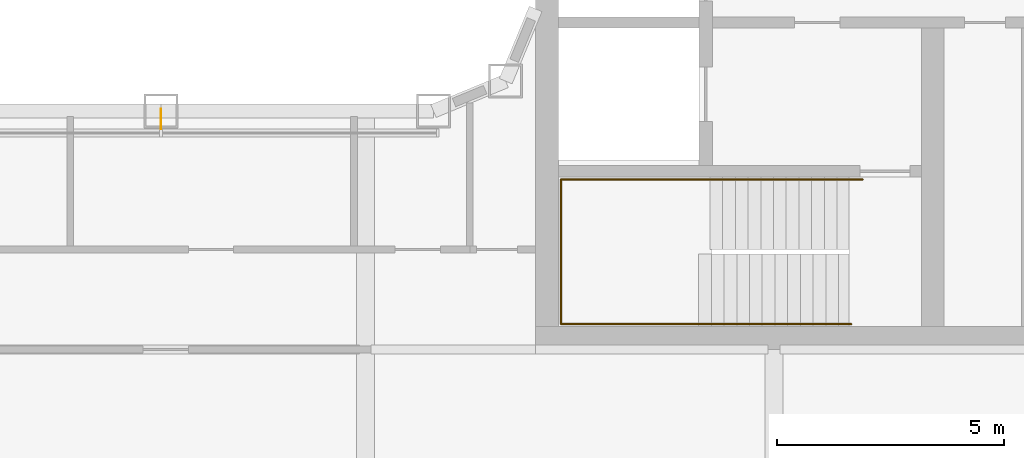
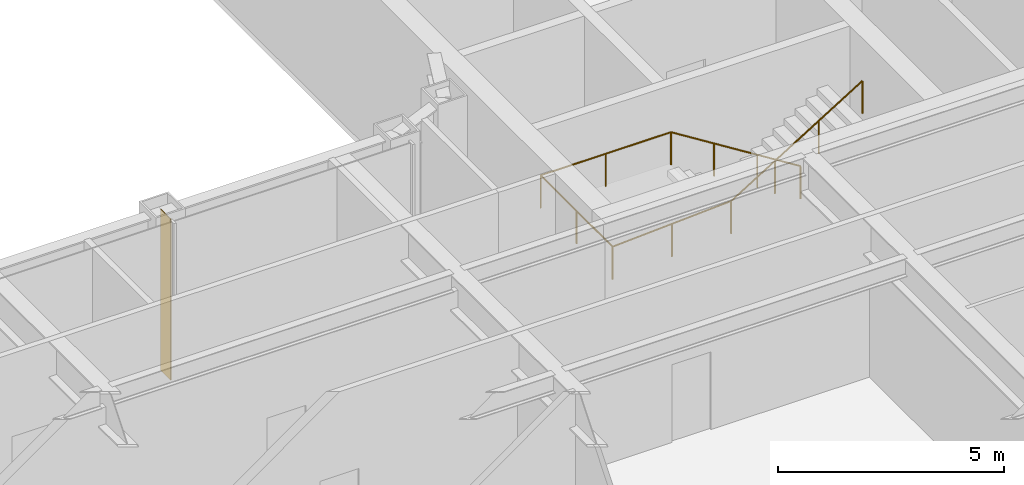
# One storey, part 21 of 24: 1 railing, 1 shading device.
"""IFC4 building model written with IfcOpenShell, lengths in metres."""

from ifc_helpers import new_model, si_unit, direction, frame, origin, origin_2d, place, context, subcontext, project, spatial, rectangle, circle, extrude, material, layer, layer_set, type_object, element, save


model = new_model("IFC4")

# Units and contexts
model_context = context("Model", 3, precision=1e-05, world=origin(), true_north=direction((0.0, 1.0)))
body_context = subcontext(model_context, "Body", "Model", "MODEL_VIEW")
ifc_project = project(units=[si_unit("LENGTHUNIT", "METRE"), si_unit("AREAUNIT", "SQUARE_METRE"), si_unit("VOLUMEUNIT", "CUBIC_METRE"), si_unit("PLANEANGLEUNIT", "RADIAN"), si_unit("MASSUNIT", "GRAM", prefix="KILO")], contexts=[model_context])

# Site, building, storey
site_placement = place(None, origin())
site = spatial("IfcSite", under=ifc_project, at=site_placement, CompositionType="ELEMENT")
building_placement = place(site_placement, origin())
building = spatial("IfcBuilding", under=site, at=building_placement, Name="Siwar Civic Tower", CompositionType="ELEMENT")
storey_placement = place(building_placement, frame((0.0, 0.0, 76.199951171875)))
storey = spatial("IfcBuildingStorey", under=building, at=storey_placement, Name="L16", CompositionType="ELEMENT", Elevation=76.199951171875)

# Railing
ifc_material_1 = material(Name="Stainless steel", Category="steel")
railing_type = type_object("IfcRailingType", Name="CORE-STAIR-HANDRAIL", PredefinedType="HANDRAIL", material=ifc_material_1)
railing_placement = place(storey_placement, frame((15.449951171875, -9.758056640625, 0.173095703125)))
element("IfcRailing", 1, at=railing_placement, inside=storey, type_object=railing_type, Name="Stair handrail ST4", PredefinedType="HANDRAIL", context=body_context, shape_type="SweptSolid", body=[
    extrude(circle(Radius=0.02001953125, at=origin_2d()), frame((0.0, 0.0, 0.8798828125), z_axis=(-0.847063342986, 0.0, 0.531491950051), x_axis=(0.0, -1.0, 0.0)), (0.0, 0.0, 1.0), 3.90771484375),
    extrude(circle(Radius=0.02001953125, at=origin_2d()), frame((-3.31005859375, 0.0, 2.956787109375), z_axis=(-1.0, 0.0, 0.0), x_axis=(0.0, -1.0, 0.0)), (0.0, 0.0, 1.0), 3.331787109375),
    extrude(circle(Radius=0.02001953125, at=origin_2d()), frame((-6.641845703125, 0.0, 2.956787109375), z_axis=(0.0, -1.0, 0.0), x_axis=(1.0, 0.0, 0.0)), (0.0, 0.0, 1.0), 3.183837890625),
    extrude(circle(Radius=0.02001953125, at=origin_2d()), frame((-6.641845703125, -3.183837890625, 2.956787109375), z_axis=(0.99837434197, 0.0, 0.056997134106), x_axis=(0.0, 1.0, 0.0)), (0.0, 0.0, 1.0), 3.036865234375),
    extrude(circle(Radius=0.02001953125, at=origin_2d()), frame((-3.60986328125, -3.183837890625, 3.1298828125), z_axis=(0.850606129759, 0.0, 0.525803396734), x_axis=(0.0, 1.0, 0.0)), (0.0, 0.0, 1.0), 3.949951171875),
    extrude(circle(Radius=0.02001953125, at=origin_2d()), origin(), (0.0, 0.0, 1.0), 0.85986328125),
    extrude(circle(Radius=0.02001953125, at=origin_2d()), frame((-1.103271484375, 0.0, 0.6923828125)), (0.0, 0.0, 1.0), 0.85986328125),
    extrude(circle(Radius=0.02001953125, at=origin_2d()), frame((-2.206787109375, 0.0, 1.384521484375)), (0.0, 0.0, 1.0), 0.85986328125),
    extrude(circle(Radius=0.02001953125, at=origin_2d()), frame((-3.31005859375, 0.0, 2.076904296875)), (0.0, 0.0, 1.0), 0.85986328125),
    extrude(circle(Radius=0.02001953125, at=origin_2d()), frame((-4.97607421875, 0.0, 2.076904296875)), (0.0, 0.0, 1.0), 0.85986328125),
    extrude(circle(Radius=0.02001953125, at=origin_2d()), frame((-6.641845703125, 0.0, 2.076904296875)), (0.0, 0.0, 1.0), 0.85986328125),
    extrude(circle(Radius=0.02001953125, at=origin_2d()), frame((-6.641845703125, -1.591796875, 2.076904296875)), (0.0, 0.0, 1.0), 0.85986328125),
    extrude(circle(Radius=0.02001953125, at=origin_2d()), frame((-6.641845703125, -3.183837890625, 2.076904296875)), (0.0, 0.0, 1.0), 0.85986328125),
    extrude(circle(Radius=0.02001953125, at=origin_2d()), frame((-5.1259765625, -3.183837890625, 2.16357421875)), (0.0, 0.0, 1.0), 0.85986328125),
    extrude(circle(Radius=0.02001953125, at=origin_2d()), frame((-3.60986328125, -3.183837890625, 2.25)), (0.0, 0.0, 1.0), 0.85986328125),
    extrude(circle(Radius=0.02001953125, at=origin_2d()), frame((-2.489990234375, -3.183837890625, 2.9423828125)), (0.0, 0.0, 1.0), 0.85986328125),
    extrude(circle(Radius=0.02001953125, at=origin_2d()), frame((-1.369873046875, -3.183837890625, 3.634521484375)), (0.0, 0.0, 1.0), 0.85986328125),
    extrude(circle(Radius=0.02001953125, at=origin_2d()), frame((-0.25, -3.183837890625, 4.326904296875)), (0.0, 0.0, 1.0), 0.85986328125),
])

# Shading device
ifc_material_2 = material(Name="Aluminium 6063-T6", Category="aluminium")
ifc_layer = layer(ifc_material_2, 0.02001953125)
ifc_layer_set = layer_set([ifc_layer], Name="Aluminium 6063-T6")
shading_device_type = type_object("IfcShadingDeviceType", Name="ENV-FIN", PredefinedType="JALOUSIE", material=ifc_layer_set)
shading_device_placement = place(storey_placement, frame((0.0, -8.419921875, 0.0), z_axis=(0.0, 0.0, 1.0), x_axis=(1.0, 0.0, 0.0)))
element("IfcShadingDevice", 2, at=shading_device_placement, inside=storey, type_object=shading_device_type, Name="SUNSHADE fin WS 1", PredefinedType="JALOUSIE", context=body_context, shape_type="SweptSolid", body=[
    extrude(rectangle(XDim=0.02001953125, YDim=0.449951171875, at=origin_2d()), origin(), (0.0, 0.0, 1.0), 4.35009765625),
])

save(model, "model.ifc")
